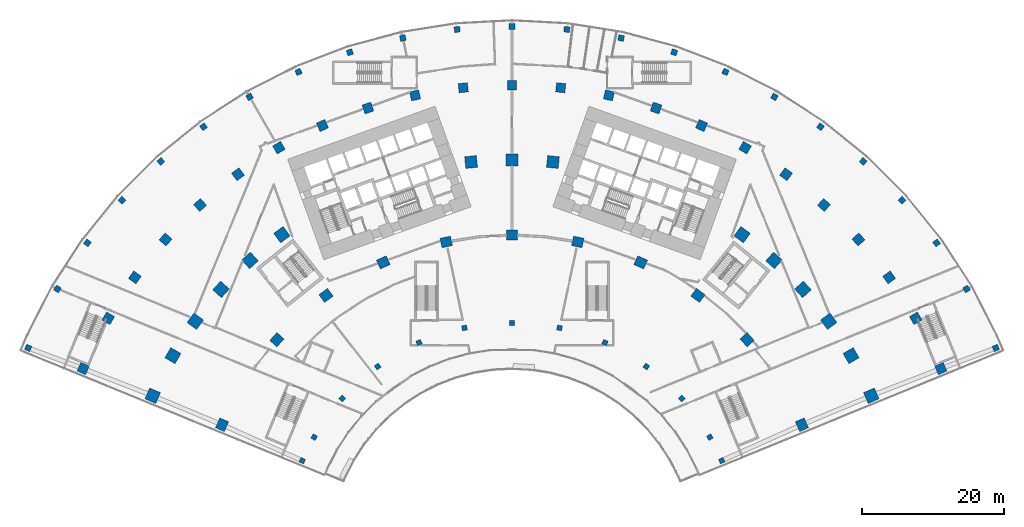
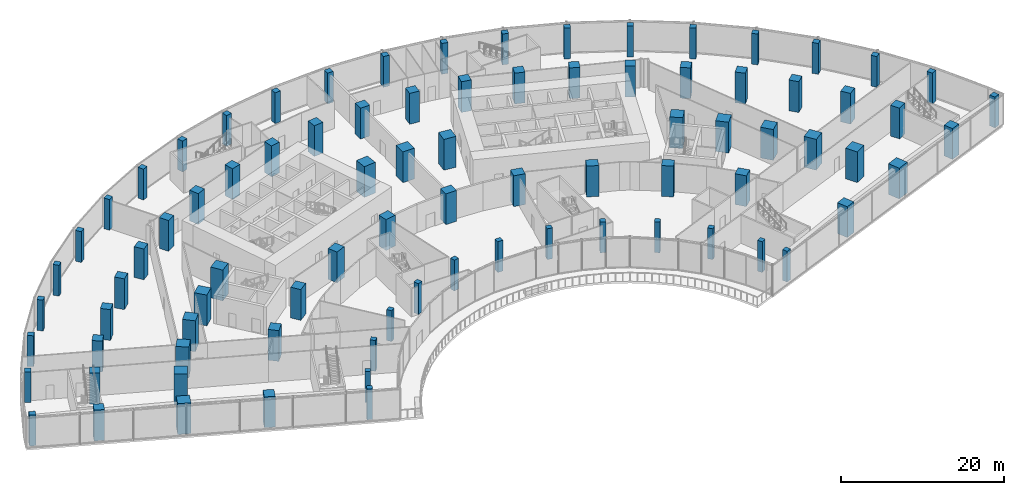
# One storey, part 1 of 39: 85 columns.
"""IFC4 building model written with IfcOpenShell, lengths in metres."""

import ifcopenshell
import ifcopenshell.guid

model = None  # the IFC model being written
_history = None  # IfcOwnerHistory: only IFC2X3 demands one
_inside = {}  # id of a spatial element -> (the spatial element, [elements in it])
_under = {}  # id of a project, library or spatial element -> (it, [spatial elements below it])
_declared = {}  # id of a project -> (the project, [libraries it declares])
_typed = {}  # id of a type object -> (the type object, [elements of that type])
_made_of = {}  # id of a material, layer set ... -> (it, [elements and type objects made of it])


def new_model(schema):
    """Start an empty IFC model of exactly this schema.

    Asked for "IFC4X3", IfcOpenShell would pick the latest addendum, in which some entities
    have other attributes; the version numbers below select the first issue.
    IFC2X3 requires an IfcOwnerHistory on every rooted entity: one is made here for all.
    """
    global model, _history
    if schema == "IFC4X3":
        model = ifcopenshell.file(schema_version=(4, 3, 0, 0))
    else:
        model = ifcopenshell.file(schema=schema)
    _inside.clear()
    _under.clear()
    _declared.clear()
    _typed.clear()
    _made_of.clear()
    _history = None
    if model.schema == "IFC2X3":
        org = make("IfcOrganization", Name="unknown")
        user = make(
            "IfcPersonAndOrganization",
            ThePerson=make("IfcPerson", FamilyName="unknown"),
            TheOrganization=org,
        )
        app = make(
            "IfcApplication",
            ApplicationDeveloper=org,
            Version="unknown",
            ApplicationFullName="unknown",
            ApplicationIdentifier="unknown",
        )
        _history = make(
            "IfcOwnerHistory",
            OwningUser=user,
            OwningApplication=app,
            ChangeAction="ADDED",
            CreationDate=0,
        )
    return model


def make(cls, **values):
    """One entity of the class cls with the attributes given. An attribute that is None is left unset."""
    return model.create_entity(
        cls, **{name: value for name, value in values.items() if value is not None}
    )


def rooted(cls, **values):
    """An entity with a GlobalId (a new one), such as an element, a storey or a relation."""
    return make(cls, GlobalId=ifcopenshell.guid.new(), OwnerHistory=_history, **values)


def si_unit(unit_type, name, prefix=None):
    """IfcSIUnit, for example si_unit("LENGTHUNIT", "METRE", prefix="MILLI")."""
    return make("IfcSIUnit", UnitType=unit_type, Prefix=prefix, Name=name)


def assignment(units):
    """IfcUnitAssignment: the units of a project."""
    return None if units is None else make("IfcUnitAssignment", Units=units)


def point(xyz):
    """IfcCartesianPoint."""
    return None if xyz is None else make("IfcCartesianPoint", Coordinates=xyz)


def direction(xyz):
    """IfcDirection."""
    return None if xyz is None else make("IfcDirection", DirectionRatios=xyz)


def frame(location, z_axis=None, x_axis=None):
    """IfcAxis2Placement3D, a coordinate frame: its origin and axes. An axis left out is left unset."""
    return make(
        "IfcAxis2Placement3D",
        Location=point(location),
        Axis=direction(z_axis),
        RefDirection=direction(x_axis),
    )


def frame_2d(location, x_axis=None):
    """IfcAxis2Placement2D, a coordinate frame in the plane: its origin and x axis."""
    return make(
        "IfcAxis2Placement2D", Location=point(location), RefDirection=direction(x_axis)
    )


def origin():
    """The frame at (0, 0, 0) with its axes left unset."""
    return frame((0.0, 0.0, 0.0))


def origin_2d():
    """The frame at (0, 0) in the plane with its x axis left unset."""
    return frame_2d((0.0, 0.0))


def place(relative_to, where):
    """IfcLocalPlacement: puts the frame where relative to a parent placement (None: the world)."""
    return make(
        "IfcLocalPlacement", PlacementRelTo=relative_to, RelativePlacement=where
    )


def context(
    kind, dimensions, precision=None, world=None, true_north=None, identifier=None
):
    """IfcGeometricRepresentationContext, for example the 3D "Model" context."""
    return make(
        "IfcGeometricRepresentationContext",
        ContextIdentifier=identifier,
        ContextType=kind,
        CoordinateSpaceDimension=dimensions,
        Precision=precision,
        WorldCoordinateSystem=world,
        TrueNorth=true_north,
    )


def subcontext(parent, identifier, kind, view, scale=None):
    """IfcGeometricRepresentationSubContext, for example "Body" below "Model"."""
    return make(
        "IfcGeometricRepresentationSubContext",
        ContextIdentifier=identifier,
        ContextType=kind,
        ParentContext=parent,
        TargetScale=scale,
        TargetView=view,
    )


def project(units=None, contexts=None):
    """IfcProject with its units and contexts."""
    return rooted(
        "IfcProject",
        Name="project",
        RepresentationContexts=contexts,
        UnitsInContext=assignment(units),
    )


def spatial(cls, under=None, at=None, **own):
    """A site, building, storey or space (cls), placed at a placement, below another one or the project."""
    s = rooted(cls, ObjectPlacement=at, **own)
    if under is not None:
        _under.setdefault(under.id(), (under, []))[1].append(s)
    return s


def profile(cls, at=None, kind="AREA", **sizes):
    """A parametric profile (cls). Its sizes go by their IFC names, for example OverallWidth=200.0."""
    return make(cls, ProfileType=kind, Position=at, **sizes)


def rectangle(**sizes):
    """IfcRectangleProfileDef."""
    return profile("IfcRectangleProfileDef", **sizes)


def extrude(swept, where, along, depth):
    """IfcExtrudedAreaSolid: the profile swept, set in the frame where, extruded along a direction by depth."""
    return make(
        "IfcExtrudedAreaSolid",
        SweptArea=swept,
        Position=where,
        ExtrudedDirection=direction(along),
        Depth=depth,
    )


def shape(context_of_items, identifier, shape_type, items):
    """IfcShapeRepresentation: the items that make up one representation, for example the "Body"."""
    return make(
        "IfcShapeRepresentation",
        ContextOfItems=context_of_items,
        RepresentationIdentifier=identifier,
        RepresentationType=shape_type,
        Items=items,
    )


def material(Name=None, Category=None):
    """IfcMaterial."""
    return make("IfcMaterial", Name=Name, Category=Category)


def material_profile(
    of_material, cross_section, Name=None, Category=None, Priority=None
):
    """IfcMaterialProfile: a cross section and its material."""
    return make(
        "IfcMaterialProfile",
        Name=Name,
        Material=of_material,
        Profile=cross_section,
        Priority=Priority,
        Category=Category,
    )


def profile_set(profiles, Name=None, composite=None):
    """IfcMaterialProfileSet."""
    return make(
        "IfcMaterialProfileSet",
        Name=Name,
        MaterialProfiles=profiles,
        CompositeProfile=composite,
    )


def made_of(thing, what):
    """Note that an element or type object is made of a material, layer set ...; save() writes the relation."""
    if what is not None:
        _made_of.setdefault(what.id(), (what, []))[1].append(thing)
    return thing


def type_object(cls, material=None, **own):
    """A type object (cls), such as IfcWallType, which elements share."""
    return made_of(rooted(cls, **own), material)


def element(
    cls,
    number,
    at=None,
    inside=None,
    cuts=None,
    type_object=None,
    material=None,
    context=None,
    identifier="Body",
    shape_type=None,
    held_by="IfcProductDefinitionShape",
    body=None,
    shapes=None,
    **own,
):
    """One element of the class cls, such as IfcWall. Its Tag is "e" and its number.

    at: its placement. inside: the storey or other place that contains it. cuts: it is an
    opening in that element (IfcRelVoidsElement). A single representation is given by context,
    identifier, shape_type and body (its items); several are given by shapes. held_by: the class
    of the entity that holds the representations. save() writes the other relations.
    """
    e = rooted(cls, Tag="e%d" % number, ObjectPlacement=at, **own)
    if body is not None:
        shapes = [shape(context, identifier, shape_type, body)]
    if shapes is not None:
        e.Representation = make(held_by, Representations=shapes)
    if inside is not None:
        _inside.setdefault(inside.id(), (inside, []))[1].append(e)
    if cuts is not None:
        rooted(
            "IfcRelVoidsElement", RelatingBuildingElement=cuts, RelatedOpeningElement=e
        )
    if type_object is not None:
        _typed.setdefault(type_object.id(), (type_object, []))[1].append(e)
    return made_of(e, material)


def aggregate(whole, parts):
    """IfcRelAggregates: a whole, such as a stair, and the parts it consists of."""
    return rooted("IfcRelAggregates", RelatingObject=whole, RelatedObjects=parts)


def save(model, path):
    """Write the relations noted so far, then the file.

    IfcRelAggregates (storeys below a building ...), IfcRelContainedInSpatialStructure (elements
    in a storey), IfcRelDefinesByType, IfcRelAssociatesMaterial and IfcRelDeclares: one each for
    every whole, place, type object, material and project.
    """
    for whole, parts in _under.values():
        aggregate(whole, parts)
    for where, things in _inside.values():
        rooted(
            "IfcRelContainedInSpatialStructure",
            RelatedElements=things,
            RelatingStructure=where,
        )
    for kind, things in _typed.values():
        rooted("IfcRelDefinesByType", RelatedObjects=things, RelatingType=kind)
    for what, things in _made_of.values():
        rooted("IfcRelAssociatesMaterial", RelatedObjects=things, RelatingMaterial=what)
    for by, libraries in _declared.values():
        rooted("IfcRelDeclares", RelatingContext=by, RelatedDefinitions=libraries)
    model.write(path)


model = new_model("IFC4")

# Units and contexts
model_context = context("Model", 3, precision=1e-05, world=origin(), true_north=direction((0.0, 1.0)))
body_context = subcontext(model_context, "Body", "Model", "MODEL_VIEW")
ifc_project = project(units=[si_unit("LENGTHUNIT", "METRE"), si_unit("AREAUNIT", "SQUARE_METRE"), si_unit("VOLUMEUNIT", "CUBIC_METRE"), si_unit("PLANEANGLEUNIT", "RADIAN"), si_unit("MASSUNIT", "GRAM", prefix="KILO")], contexts=[model_context])

# Site, building, storey
site_placement = place(None, origin())
site = spatial("IfcSite", under=ifc_project, at=site_placement, CompositionType="ELEMENT")
building_placement = place(site_placement, origin())
building = spatial("IfcBuilding", under=site, at=building_placement, Name="Stone Belt Terrace Tower", CompositionType="ELEMENT")
storey_placement = place(building_placement, frame((0.0, 0.0, 20.800048828125)))
storey = spatial("IfcBuildingStorey", under=building, at=storey_placement, Name="L04", CompositionType="ELEMENT", Elevation=20.800048828125)

# Columns
ifc_material_1 = material(Name="Concrete B80", Category="concrete")
ifc_material_profile_1 = material_profile(ifc_material_1, rectangle(XDim=1.300048828125, YDim=1.300048828125, at=origin_2d()), Name="RC 1300x1300")
ifc_profile_set_1 = profile_set([ifc_material_profile_1], Name="Concrete B80")
column_type_1 = type_object("IfcColumnType", Name="Column RC 1300x1300 B80", PredefinedType="COLUMN", material=ifc_profile_set_1)
for number, where, z_axis, x_axis, name in (
    (1, (-60.24169921875, 25.68505859375, 0.0), (0.0, 0.0, 1.0), (0.392203865004, 0.919878322538, 0.0), "Column L04 RA"),
    (2, (-56.715087890625, 32.744384765625, 0.0), (0.0, 0.0, 1.0), (0.5, 0.866025403784, 0.0), "Column L04 R12"),
    (3, (-52.981689453125, 38.493408203125, 0.0), (0.0, 0.0, 1.0), (0.587785252292, 0.809016994375, 0.0), "Column L04 R13"),
    (4, (-48.667724609375, 43.820556640625, 0.0), (0.0, 0.0, 1.0), (0.669130606359, 0.743144825477, 0.0), "Column L04 R14"),
    (5, (-43.820556640625, 48.667724609375, 0.0), (0.0, 0.0, 1.0), (0.743144825477, 0.669130606359, 0.0), "Column L04 R15"),
    (6, (-38.493408203125, 52.981689453125, 0.0), (0.0, 0.0, 1.0), (0.809016994375, 0.587785252292, 0.0), "Column L04 R16"),
    (7, (-32.744384765625, 56.715087890625, 0.0), (0.0, 0.0, 1.0), (0.866025403784, 0.5, 0.0), "Column L04 R17"),
    (8, (-26.63671875, 59.8271484375, 0.0), (0.0, 0.0, 1.0), (0.913545457643, 0.406736643076, 0.0), "Column L04 R18"),
    (9, (-20.2373046875, 62.28369140625, 0.0), (0.0, 0.0, 1.0), (0.951056516295, 0.309016994375, 0.0), "Column L04 R19"),
    (10, (-13.615966796875, 64.057861328125, 0.0), (0.0, 0.0, 1.0), (0.978147600734, 0.207911690818, 0.0), "Column L04 R20"),
    (11, (-6.845458984375, 65.130126953125, 0.0), (0.0, 0.0, 1.0), (0.994521895368, 0.104528463268, 0.0), "Column L04 R21"),
    (12, (0.0, 65.489013671875, 0.0), (0.0, 0.0, 1.0), (1.0, 0.0, 0.0), "Column L04 R22"),
    (13, (6.845458984375, 65.130126953125, 0.0), (0.0, 0.0, 1.0), (0.994521895368, -0.104528463268, 0.0), "Column L04 R23"),
    (14, (13.615966796875, 64.057861328125, 0.0), (0.0, 0.0, 1.0), (0.978147600734, -0.207911690818, 0.0), "Column L04 R24"),
    (15, (20.2373046875, 62.28369140625, 0.0), (0.0, 0.0, 1.0), (0.951056516295, -0.309016994375, 0.0), "Column L04 R25"),
    (16, (26.63671875, 59.8271484375, 0.0), (0.0, 0.0, 1.0), (0.913545457643, -0.406736643076, 0.0), "Column L04 R26"),
    (17, (32.744384765625, 56.715087890625, 0.0), (0.0, 0.0, 1.0), (0.866025403784, -0.5, 0.0), "Column L04 R27"),
    (18, (38.493408203125, 52.981689453125, 0.0), (0.0, 0.0, 1.0), (0.809016994375, -0.587785252292, 0.0), "Column L04 R28"),
    (19, (43.820556640625, 48.667724609375, 0.0), (0.0, 0.0, 1.0), (0.743144825477, -0.669130606359, 0.0), "Column L04 R29"),
    (20, (48.667724609375, 43.820556640625, 0.0), (0.0, 0.0, 1.0), (0.669130606359, -0.743144825477, 0.0), "Column L04 R30"),
    (21, (52.981689453125, 38.493408203125, 0.0), (0.0, 0.0, 1.0), (0.587785252292, -0.809016994375, 0.0), "Column L04 R31"),
    (22, (56.715087890625, 32.744384765625, 0.0), (0.0, 0.0, 1.0), (0.5, -0.866025403784, 0.0), "Column L04 R32"),
    (23, (60.24169921875, 25.68505859375, 0.0), (0.0, 0.0, 1.0), (0.392203865004, -0.919878322538, 0.0), "Column L04 RB"),
):
    element("IfcColumn", number, at=place(storey_placement, frame(where, z_axis=z_axis, x_axis=x_axis)), inside=storey, type_object=column_type_1, Name=name, PredefinedType="COLUMN", context=body_context, shape_type="SweptSolid", body=[
        extrude(rectangle(XDim=1.300048828125, YDim=1.300048828125, at=origin_2d()), origin(), (0.0, 0.0, 1.0), 4.599853515625),
    ])
ifc_material_profile_2 = material_profile(ifc_material_1, rectangle(XDim=1.5, YDim=1.35009765625, at=origin_2d()), Name="RC 1500x1350")
ifc_profile_set_2 = profile_set([ifc_material_profile_2], Name="Concrete B80")
column_type_2 = type_object("IfcColumnType", Name="Column RC 1500x1350 B80", PredefinedType="COLUMN", material=ifc_profile_set_2)
for number, where, z_axis, x_axis, name in (
    (24, (-40.727294921875, 17.794677734375, 0.0), (0.0, 0.0, 1.0), (0.40037622141, 0.916350850564, 0.0), "Column L04 PA"),
    (25, (-33.029052734375, 29.739501953125, 0.0), (0.0, 0.0, 1.0), (0.669130606359, 0.743144825477, 0.0), "Column L04 P14"),
    (26, (-26.1240234375, 35.956787109375, 0.0), (0.0, 0.0, 1.0), (0.809016994375, 0.587785252292, 0.0), "Column L04 P16"),
    (27, (-18.077392578125, 40.6025390625, 0.0), (0.0, 0.0, 1.0), (0.913545457643, 0.406736643076, 0.0), "Column L04 P18"),
    (28, (-9.240478515625, 43.473876953125, 0.0), (0.0, 0.0, 1.0), (0.978147600734, 0.207911690818, 0.0), "Column L04 P20"),
    (29, (0.0, 44.445068359375, 0.0), (0.0, 0.0, 1.0), (1.0, 0.0, 0.0), "Column L04 P22"),
    (30, (9.240478515625, 43.473876953125, 0.0), (0.0, 0.0, 1.0), (0.978147600734, -0.207911690818, 0.0), "Column L04 P24"),
    (31, (18.077392578125, 40.6025390625, 0.0), (0.0, 0.0, 1.0), (0.913545457643, -0.406736643076, 0.0), "Column L04 P26"),
    (32, (26.1240234375, 35.956787109375, 0.0), (0.0, 0.0, 1.0), (0.809016994375, -0.587785252292, 0.0), "Column L04 P28"),
    (33, (33.029052734375, 29.739501953125, 0.0), (0.0, 0.0, 1.0), (0.669130606359, -0.743144825477, 0.0), "Column L04 P30"),
    (34, (40.727294921875, 17.794677734375, 0.0), (0.0, 0.0, 1.0), (0.40037622141, -0.916350850564, 0.0), "Column L04 PB"),
):
    element("IfcColumn", number, at=place(storey_placement, frame(where, z_axis=z_axis, x_axis=x_axis)), inside=storey, type_object=column_type_2, Name=name, PredefinedType="COLUMN", context=body_context, shape_type="SweptSolid", body=[
        extrude(rectangle(XDim=1.5, YDim=1.35009765625, at=origin_2d()), origin(), (0.0, 0.0, 1.0), 4.599853515625),
    ])
ifc_material_profile_3 = material_profile(ifc_material_1, rectangle(XDim=1.64990234375, YDim=1.64990234375, at=origin_2d()), Name="RC 1650x1650")
ifc_profile_set_3 = profile_set([ifc_material_profile_3], Name="Concrete B80")
column_type_3 = type_object("IfcColumnType", Name="Column RC 1650x1650 B80", PredefinedType="COLUMN", material=ifc_profile_set_3)
for number, where, z_axis, x_axis, name in (
    (35, (-50.466064453125, 21.867431640625, 0.0), (0.0, 0.0, 1.0), (0.397588335471, 0.917563902678, 0.0), "Column L04 QA"),
    (36, (-47.63134765625, 27.5, 0.0), (0.0, 0.0, 1.0), (0.5, 0.866025403784, 0.0), "Column L04 Q12"),
    (37, (-44.495849609375, 32.328125, 0.0), (0.0, 0.0, 1.0), (0.587785252292, 0.809016994375, 0.0), "Column L04 Q13"),
    (38, (-40.873046875, 36.80224609375, 0.0), (0.0, 0.0, 1.0), (0.669130606359, 0.743144825477, 0.0), "Column L04 Q14"),
    (39, (-36.80224609375, 40.873046875, 0.0), (0.0, 0.0, 1.0), (0.743144825477, 0.669130606359, 0.0), "Column L04 Q15"),
    (40, (-32.328125, 44.495849609375, 0.0), (0.0, 0.0, 1.0), (0.809016994375, 0.587785252292, 0.0), "Column L04 Q16"),
    (41, (-5.7490234375, 54.69873046875, 0.0), (0.0, 0.0, 1.0), (0.994521895368, 0.104528463268, 0.0), "Column L04 Q21"),
    (42, (0.0, 55.0, 0.0), (0.0, 0.0, 1.0), (1.0, 0.0, 0.0), "Column L04 Q22"),
    (43, (5.7490234375, 54.69873046875, 0.0), (0.0, 0.0, 1.0), (0.994521895368, -0.104528463268, 0.0), "Column L04 Q23"),
    (44, (32.328125, 44.495849609375, 0.0), (0.0, 0.0, 1.0), (0.809016994375, -0.587785252292, 0.0), "Column L04 Q28"),
    (45, (36.80224609375, 40.873046875, 0.0), (0.0, 0.0, 1.0), (0.743144825477, -0.669130606359, 0.0), "Column L04 Q29"),
    (46, (40.873046875, 36.80224609375, 0.0), (0.0, 0.0, 1.0), (0.669130606359, -0.743144825477, 0.0), "Column L04 Q30"),
    (47, (44.495849609375, 32.328125, 0.0), (0.0, 0.0, 1.0), (0.587785252292, -0.809016994375, 0.0), "Column L04 Q31"),
    (48, (47.63134765625, 27.5, 0.0), (0.0, 0.0, 1.0), (0.5, -0.866025403784, 0.0), "Column L04 Q32"),
    (49, (50.466064453125, 21.867431640625, 0.0), (0.0, 0.0, 1.0), (0.397588335471, -0.917563902678, 0.0), "Column L04 QB"),
):
    element("IfcColumn", number, at=place(storey_placement, frame(where, z_axis=z_axis, x_axis=x_axis)), inside=storey, type_object=column_type_3, Name=name, PredefinedType="COLUMN", context=body_context, shape_type="SweptSolid", body=[
        extrude(rectangle(XDim=1.64990234375, YDim=1.64990234375, at=origin_2d()), origin(), (0.0, 0.0, 1.0), 4.599853515625),
    ])
ifc_material_2 = material(Name="Concrete B60", Category="concrete")
ifc_material_profile_4 = material_profile(ifc_material_2, rectangle(XDim=0.699951171875, YDim=0.699951171875, at=origin_2d()), Name="RC 700x700")
ifc_profile_set_4 = profile_set([ifc_material_profile_4], Name="Concrete B60")
column_type_4 = type_object("IfcColumnType", Name="Column RC 700x700 B60", PredefinedType="COLUMN", material=ifc_profile_set_4)
for number, where, z_axis, x_axis, name in (
    (50, (-29.46142578125, 12.7451171875, 0.0), (0.0, 0.0, 1.0), (0.39704377212, 0.917799674777, 0.0), "Column L04 OA"),
    (51, (-27.79931640625, 16.050048828125, 0.0), (0.0, 0.0, 1.0), (0.5, 0.866025403784, 0.0), "Column L04 O12"),
    (52, (-23.85498046875, 21.47900390625, 0.0), (0.0, 0.0, 1.0), (0.669130606359, 0.743144825477, 0.0), "Column L04 O14"),
    (53, (-18.867919921875, 25.969482421875, 0.0), (0.0, 0.0, 1.0), (0.809016994375, 0.587785252292, 0.0), "Column L04 O16"),
    (54, (-13.05615234375, 29.32470703125, 0.0), (0.0, 0.0, 1.0), (0.913545457643, 0.406736643076, 0.0), "Column L04 O18"),
    (55, (-6.674072265625, 31.3984375, 0.0), (0.0, 0.0, 1.0), (0.978147600734, 0.207911690818, 0.0), "Column L04 O20"),
    (56, (0.0, 32.10009765625, 0.0), (0.0, 0.0, 1.0), (1.0, 0.0, 0.0), "Column L04 O22"),
    (57, (6.674072265625, 31.3984375, 0.0), (0.0, 0.0, 1.0), (0.978147600734, -0.207911690818, 0.0), "Column L04 O24"),
    (58, (13.05615234375, 29.32470703125, 0.0), (0.0, 0.0, 1.0), (0.913545457643, -0.406736643076, 0.0), "Column L04 O26"),
    (59, (18.867919921875, 25.969482421875, 0.0), (0.0, 0.0, 1.0), (0.809016994375, -0.587785252292, 0.0), "Column L04 O28"),
    (60, (23.85498046875, 21.47900390625, 0.0), (0.0, 0.0, 1.0), (0.669130606359, -0.743144825477, 0.0), "Column L04 O30"),
    (61, (27.79931640625, 16.050048828125, 0.0), (0.0, 0.0, 1.0), (0.5, -0.866025403784, 0.0), "Column L04 O32"),
    (62, (29.46142578125, 12.7451171875, 0.0), (0.0, 0.0, 1.0), (0.39704377212, -0.917799674777, 0.0), "Column L04 OB"),
):
    element("IfcColumn", number, at=place(storey_placement, frame(where, z_axis=z_axis, x_axis=x_axis)), inside=storey, type_object=column_type_4, Name=name, PredefinedType="COLUMN", context=body_context, shape_type="SweptSolid", body=[
        extrude(rectangle(XDim=0.699951171875, YDim=0.699951171875, at=origin_2d()), origin(), (0.0, 0.0, 1.0), 4.599853515625),
    ])
ifc_material_profile_5 = material_profile(ifc_material_2, rectangle(XDim=0.800048828125, YDim=0.800048828125, at=origin_2d()), Name="RC 800x800")
ifc_profile_set_5 = profile_set([ifc_material_profile_5], Name="Concrete B60")
column_type_5 = type_object("IfcColumnType", Name="Column RC 800x800 B60", PredefinedType="COLUMN", material=ifc_profile_set_5)
for number, where, z_axis, x_axis, name in (
    (63, (-67.96337890625, 28.57958984375, 0.0), (0.0, 0.0, 1.0), (0.387636254736, 0.921812418019, 0.0), "Column L04 SA"),
    (64, (-63.85009765625, 36.864013671875, 0.0), (0.0, 0.0, 1.0), (0.5, 0.866025403784, 0.0), "Column L04 S12"),
    (65, (-59.647216796875, 43.336181640625, 0.0), (0.0, 0.0, 1.0), (0.587785252292, 0.809016994375, 0.0), "Column L04 S13"),
    (66, (-54.79052734375, 49.33349609375, 0.0), (0.0, 0.0, 1.0), (0.669130606359, 0.743144825477, 0.0), "Column L04 S14"),
    (67, (-49.33349609375, 54.79052734375, 0.0), (0.0, 0.0, 1.0), (0.743144825477, 0.669130606359, 0.0), "Column L04 S15"),
    (68, (-43.336181640625, 59.647216796875, 0.0), (0.0, 0.0, 1.0), (0.809016994375, 0.587785252292, 0.0), "Column L04 S16"),
    (69, (-36.864013671875, 63.85009765625, 0.0), (0.0, 0.0, 1.0), (0.866025403784, 0.5, 0.0), "Column L04 S17"),
    (70, (-29.98779296875, 67.353759765625, 0.0), (0.0, 0.0, 1.0), (0.913545457643, 0.406736643076, 0.0), "Column L04 S18"),
    (71, (-22.783203125, 70.119384765625, 0.0), (0.0, 0.0, 1.0), (0.951056516295, 0.309016994375, 0.0), "Column L04 S19"),
    (72, (-15.328857421875, 72.11669921875, 0.0), (0.0, 0.0, 1.0), (0.978147600734, 0.207911690818, 0.0), "Column L04 S20"),
    (73, (-7.706787109375, 73.323974609375, 0.0), (0.0, 0.0, 1.0), (0.994521895368, 0.104528463268, 0.0), "Column L04 S21"),
    (74, (0.0, 73.727783203125, 0.0), (0.0, 0.0, 1.0), (1.0, 0.0, 0.0), "Column L04 S22"),
    (75, (7.706787109375, 73.323974609375, 0.0), (0.0, 0.0, 1.0), (0.994521895368, -0.104528463268, 0.0), "Column L04 S23"),
    (76, (15.328857421875, 72.11669921875, 0.0), (0.0, 0.0, 1.0), (0.978147600734, -0.207911690818, 0.0), "Column L04 S24"),
    (77, (22.783203125, 70.119384765625, 0.0), (0.0, 0.0, 1.0), (0.951056516295, -0.309016994375, 0.0), "Column L04 S25"),
    (78, (29.98779296875, 67.353759765625, 0.0), (0.0, 0.0, 1.0), (0.913545457643, -0.406736643076, 0.0), "Column L04 S26"),
    (79, (36.864013671875, 63.85009765625, 0.0), (0.0, 0.0, 1.0), (0.866025403784, -0.5, 0.0), "Column L04 S27"),
    (80, (43.336181640625, 59.647216796875, 0.0), (0.0, 0.0, 1.0), (0.809016994375, -0.587785252292, 0.0), "Column L04 S28"),
    (81, (49.33349609375, 54.79052734375, 0.0), (0.0, 0.0, 1.0), (0.743144825477, -0.669130606359, 0.0), "Column L04 S29"),
    (82, (54.79052734375, 49.33349609375, 0.0), (0.0, 0.0, 1.0), (0.669130606359, -0.743144825477, 0.0), "Column L04 S30"),
    (83, (59.647216796875, 43.336181640625, 0.0), (0.0, 0.0, 1.0), (0.587785252292, -0.809016994375, 0.0), "Column L04 S31"),
    (84, (63.85009765625, 36.864013671875, 0.0), (0.0, 0.0, 1.0), (0.5, -0.866025403784, 0.0), "Column L04 S32"),
    (85, (67.96337890625, 28.57958984375, 0.0), (0.0, 0.0, 1.0), (0.387636254736, -0.921812418019, 0.0), "Column L04 SB"),
):
    element("IfcColumn", number, at=place(storey_placement, frame(where, z_axis=z_axis, x_axis=x_axis)), inside=storey, type_object=column_type_5, Name=name, PredefinedType="COLUMN", context=body_context, shape_type="SweptSolid", body=[
        extrude(rectangle(XDim=0.800048828125, YDim=0.800048828125, at=origin_2d()), origin(), (0.0, 0.0, 1.0), 4.599853515625),
    ])

save(model, "model.ifc")
